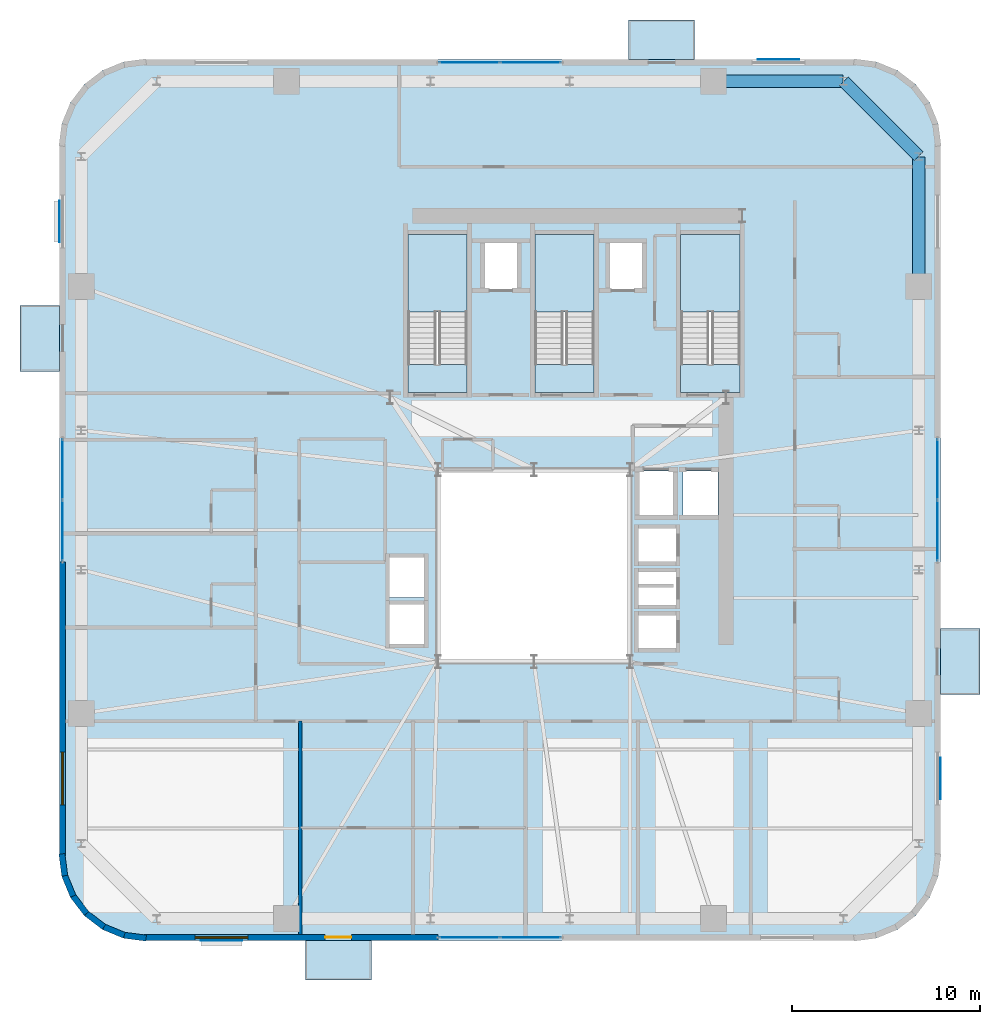
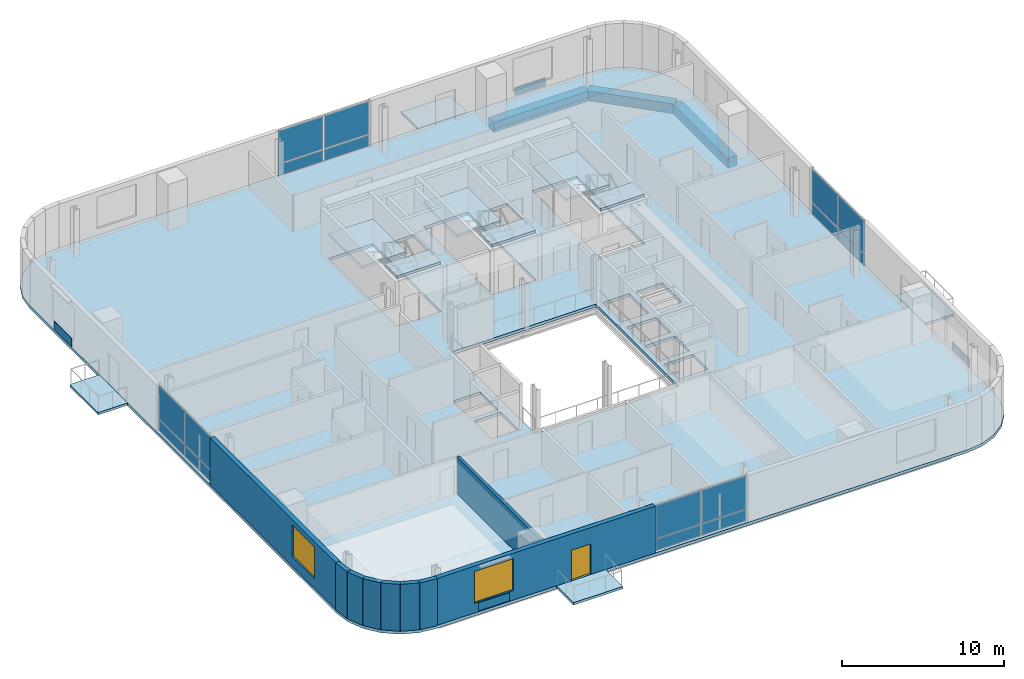
# One storey, part 7 of 16: 20 plates, 11 slabs, 9 walls, 3 beams, 2 windows, 1 door, 3 openings, 7 elements without a shape of their own.
"""IFC4 building model written with IfcOpenShell, lengths in metres."""

from ifc_helpers import new_model, si_unit, direction, frame, frame_2d, origin, origin_2d, place, context, subcontext, project, spatial, polyline, rectangle, outline, extrude, source, transform, mapped, material, layer, layer_set, material_profile, profile_set, type_object, element, fill, aggregate, save


model = new_model("IFC4")

# Units and contexts
model_context = context("Model", 3, precision=1e-05, world=origin(), true_north=direction((0.0, 1.0)))
body_context = subcontext(model_context, "Body", "Model", "MODEL_VIEW")
ifc_project = project(units=[si_unit("LENGTHUNIT", "METRE"), si_unit("AREAUNIT", "SQUARE_METRE"), si_unit("VOLUMEUNIT", "CUBIC_METRE"), si_unit("PLANEANGLEUNIT", "RADIAN"), si_unit("MASSUNIT", "GRAM", prefix="KILO")], contexts=[model_context])

# Site, building, storey
site_placement = place(None, origin())
site = spatial("IfcSite", under=ifc_project, at=site_placement, CompositionType="ELEMENT")
building_placement = place(site_placement, origin())
building = spatial("IfcBuilding", under=site, at=building_placement, Name="Vardaveli Station Tower", CompositionType="ELEMENT")
storey_placement = place(building_placement, frame((0.0, 0.0, 203.550048828125)))
storey = spatial("IfcBuildingStorey", under=building, at=storey_placement, Name="L52", CompositionType="ELEMENT", Elevation=203.550048828125)

# Beams
ifc_material_1 = material(Name="Precast concrete C45/55", Category="concrete")
ifc_material_profile = material_profile(ifc_material_1, rectangle(XDim=0.64990234375, YDim=0.75, at=origin_2d()), Name="LPB 650x750")
ifc_profile_set = profile_set([ifc_material_profile], Name="Precast concrete C45/55")
beam_type = type_object("IfcBeamType", Name="BM-LPB-750", PredefinedType="BEAM", material=ifc_profile_set)
shared_shape_1 = source(origin(), body_context, "Body", "SweptSolid", [
    extrude(rectangle(XDim=0.64990234375, YDim=0.75, at=origin_2d()), origin(), (0.0, 0.0, 1.0), 6.869873046875),
])
for number, where, z_axis, x_axis, name in (
    (1, (56.75, 36.56005859375, -0.594970703125), (0.0, 1.0, 0.0), (-1.0, 0.0, 0.0), "RBM-L52-10"),
    (2, (52.72998046875, 47.449951171875, -0.594970703125), (-1.0, 0.0, 0.0), (0.0, -1.0, 0.0), "RBM-L52-12"),
):
    element("IfcBeam", number, at=place(storey_placement, frame(where, z_axis=z_axis, x_axis=x_axis)), inside=storey, type_object=beam_type, Name=name, PredefinedType="BEAM", context=body_context, shape_type="MappedRepresentation", body=[
        mapped(shared_shape_1, transform((0.0, 0.0, 0.0), scale=1.0)),
    ])
shared_shape_2 = source(origin(), body_context, "Body", "SweptSolid", [
    extrude(rectangle(XDim=0.64990234375, YDim=0.75, at=origin_2d()), origin(), (0.0, 0.0, 1.0), 5.61669921875),
])
beam_placement = place(storey_placement, frame((56.73583984375, 43.464111328125, -0.594970703125), z_axis=(-0.707106781187, 0.707106781187, 0.0), x_axis=(-0.707106781187, -0.707106781187, 0.0)))
element("IfcBeam", 3, at=beam_placement, inside=storey, type_object=beam_type, Name="RBM-L52-11", PredefinedType="BEAM", context=body_context, shape_type="MappedRepresentation", body=[
    mapped(shared_shape_2, transform((0.0, 0.0, 0.0), scale=1.0)),
])

# Stair, slabs
ifc_material_2 = material(Name="Concrete C40/50", Category="concrete")
stair_type = type_object("IfcStairType", Name="STR-CORE-1500", PredefinedType="HALF_TURN_STAIR", material=ifc_material_2)
stair_1_placement = place(storey_placement, origin())
stair_1 = element("IfcStair", 4, at=stair_1_placement, inside=storey, type_object=stair_type, Name="L52 ST-1", PredefinedType="HALF_TURN_STAIR")
ifc_layer_1 = layer(ifc_material_2, 0.199951171875, Name="Concrete C40/50")
ifc_layer_set_1 = layer_set([ifc_layer_1], Name="Concrete C40/50")
slab_type_1 = type_object("IfcSlabType", Name="SLB-LAND-200", PredefinedType="LANDING", material=ifc_layer_set_1)
slab_1_placement = place(storey_placement, frame((0.0, 0.0, 1.675048828125)))
slab_1 = element("IfcSlab", 5, at=slab_1_placement, type_object=slab_type_1, Name="ST-1 landing 1", PredefinedType="LANDING", context=body_context, shape_type="SweptSolid", body=[
    extrude(outline(polyline([(32.75, 35.199951171875), (32.75, 39.300048828125), (29.60009765625, 39.300048828125), (29.60009765625, 35.199951171875), (32.75, 35.199951171875)])), origin(), (0.0, 0.0, 1.0), 0.199951171875),
])
slab_2_placement = place(storey_placement, frame((0.0, 0.0, 3.550048828125)))
slab_2 = element("IfcSlab", 6, at=slab_2_placement, type_object=slab_type_1, Name="ST-1 landing 2", PredefinedType="LANDING", context=body_context, shape_type="SweptSolid", body=[
    extrude(outline(polyline([(32.75, 30.89990234375), (32.75, 32.39990234375), (29.60009765625, 32.39990234375), (29.60009765625, 30.89990234375), (32.75, 30.89990234375)])), origin(), (0.0, 0.0, 1.0), 0.199951171875),
])
aggregate(stair_1, [slab_1, slab_2])

stair_2_placement = place(storey_placement, origin())
stair_2 = element("IfcStair", 7, at=stair_2_placement, inside=storey, type_object=stair_type, Name="L52 ST-2", PredefinedType="HALF_TURN_STAIR")
slab_3_placement = place(storey_placement, frame((0.0, 0.0, 1.675048828125)))
slab_3 = element("IfcSlab", 8, at=slab_3_placement, type_object=slab_type_1, Name="ST-2 landing 1", PredefinedType="LANDING", context=body_context, shape_type="SweptSolid", body=[
    extrude(outline(polyline([(39.5, 35.199951171875), (39.5, 39.300048828125), (36.35009765625, 39.300048828125), (36.35009765625, 35.199951171875), (39.5, 35.199951171875)])), origin(), (0.0, 0.0, 1.0), 0.199951171875),
])
slab_4_placement = place(storey_placement, frame((0.0, 0.0, 3.550048828125)))
slab_4 = element("IfcSlab", 9, at=slab_4_placement, type_object=slab_type_1, Name="ST-2 landing 2", PredefinedType="LANDING", context=body_context, shape_type="SweptSolid", body=[
    extrude(outline(polyline([(39.5, 30.89990234375), (39.5, 32.39990234375), (36.35009765625, 32.39990234375), (36.35009765625, 30.89990234375), (39.5, 30.89990234375)])), origin(), (0.0, 0.0, 1.0), 0.199951171875),
])
aggregate(stair_2, [slab_3, slab_4])

stair_3_placement = place(storey_placement, origin())
stair_3 = element("IfcStair", 10, at=stair_3_placement, inside=storey, type_object=stair_type, Name="L52 ST-3", PredefinedType="HALF_TURN_STAIR")
slab_5_placement = place(storey_placement, frame((0.0, 0.0, 1.675048828125)))
slab_5 = element("IfcSlab", 11, at=slab_5_placement, type_object=slab_type_1, Name="ST-3 landing 1", PredefinedType="LANDING", context=body_context, shape_type="SweptSolid", body=[
    extrude(outline(polyline([(47.25, 35.199951171875), (47.25, 39.300048828125), (44.10009765625, 39.300048828125), (44.10009765625, 35.199951171875), (47.25, 35.199951171875)])), origin(), (0.0, 0.0, 1.0), 0.199951171875),
])
slab_6_placement = place(storey_placement, frame((0.0, 0.0, 3.550048828125)))
slab_6 = element("IfcSlab", 12, at=slab_6_placement, type_object=slab_type_1, Name="ST-3 landing 2", PredefinedType="LANDING", context=body_context, shape_type="SweptSolid", body=[
    extrude(outline(polyline([(47.25, 30.89990234375), (47.25, 32.39990234375), (44.10009765625, 32.39990234375), (44.10009765625, 30.89990234375), (47.25, 30.89990234375)])), origin(), (0.0, 0.0, 1.0), 0.199951171875),
])
aggregate(stair_3, [slab_5, slab_6])

# Slabs
ifc_layer_2 = layer(ifc_material_1, 0.179931640625, Name="Precast concrete C45/55")
ifc_layer_set_2 = layer_set([ifc_layer_2], Name="Precast concrete C45/55")
slab_type_2 = type_object("IfcSlabType", Name="SLB-LOGGIA-180", PredefinedType="FLOOR", material=ifc_layer_set_2)
slab_7_placement = place(storey_placement, frame((0.0, 0.0, -0.179931640625)))
element("IfcSlab", 13, at=slab_7_placement, inside=storey, type_object=slab_type_2, Name="LOG-L52-S", PredefinedType="FLOOR", context=body_context, shape_type="SweptSolid", body=[
    extrude(outline(polyline([(24.160400390625, -0.300048828125), (27.660400390625, -0.300048828125), (27.660400390625, 1.800048828125), (24.160400390625, 1.800048828125), (24.160400390625, -0.300048828125)])), origin(), (0.0, 0.0, 1.0), 0.179931640625),
])
slab_8_placement = place(storey_placement, frame((0.0, 0.0, -0.179931640625)))
element("IfcSlab", 14, at=slab_8_placement, inside=storey, type_object=slab_type_2, Name="LOG-L52-N", PredefinedType="FLOOR", context=body_context, shape_type="SweptSolid", body=[
    extrude(outline(polyline([(41.339599609375, 48.60009765625), (44.839599609375, 48.60009765625), (44.839599609375, 50.699951171875), (41.339599609375, 50.699951171875), (41.339599609375, 48.60009765625)])), origin(), (0.0, 0.0, 1.0), 0.179931640625),
])
slab_9_placement = place(storey_placement, frame((0.0, 0.0, -0.179931640625)))
element("IfcSlab", 15, at=slab_9_placement, inside=storey, type_object=slab_type_2, Name="LOG-L52-W", PredefinedType="FLOOR", context=body_context, shape_type="SweptSolid", body=[
    extrude(outline(polyline([(9.0, 32.03955078125), (11.10009765625, 32.03955078125), (11.10009765625, 35.53955078125), (9.0, 35.53955078125), (9.0, 32.03955078125)])), origin(), (0.0, 0.0, 1.0), 0.179931640625),
])
slab_10_placement = place(storey_placement, frame((0.0, 0.0, -0.179931640625)))
element("IfcSlab", 16, at=slab_10_placement, inside=storey, type_object=slab_type_2, Name="LOG-L52-E", PredefinedType="FLOOR", context=body_context, shape_type="SweptSolid", body=[
    extrude(outline(polyline([(57.89990234375, 14.8603515625), (60.0, 14.8603515625), (60.0, 18.3603515625), (57.89990234375, 18.3603515625), (57.89990234375, 14.8603515625)])), origin(), (0.0, 0.0, 1.0), 0.179931640625),
])
ifc_layer_3 = layer(ifc_material_2, 0.219970703125, Name="Concrete C40/50")
ifc_layer_set_3 = layer_set([ifc_layer_3], Name="Concrete C40/50")
slab_type_3 = type_object("IfcSlabType", Name="SLB-TOW-220", PredefinedType="FLOOR", material=ifc_layer_set_3)
slab_11_placement = place(storey_placement, frame((0.0, 0.0, -0.219970703125)))
element("IfcSlab", 17, at=slab_11_placement, inside=storey, type_object=slab_type_3, Name="SLB-L52-MAIN", PredefinedType="FLOOR", context=body_context, shape_type="SweptSolid", body=[
    extrude(outline(polyline([(11.10009765625, 6.300048828125), (11.25341796875, 5.13525390625), (11.702880859375, 4.050048828125), (12.41796875, 3.117919921875), (13.35009765625, 2.40283203125), (14.435302734375, 1.953369140625), (15.60009765625, 1.800048828125), (53.39990234375, 1.800048828125), (54.564697265625, 1.953369140625), (55.64990234375, 2.40283203125), (56.58203125, 3.117919921875), (57.297119140625, 4.050048828125), (57.74658203125, 5.13525390625), (57.89990234375, 6.300048828125), (57.89990234375, 44.10009765625), (57.74658203125, 45.2646484375), (57.297119140625, 46.35009765625), (56.58203125, 47.281982421875), (55.64990234375, 47.9970703125), (54.564697265625, 48.44677734375), (53.39990234375, 48.60009765625), (15.60009765625, 48.60009765625), (14.435302734375, 48.44677734375), (13.35009765625, 47.9970703125), (12.41796875, 47.281982421875), (11.702880859375, 46.35009765625), (11.25341796875, 45.2646484375), (11.10009765625, 44.10009765625), (11.10009765625, 6.300048828125)]), holes=[polyline([(31.199951171875, 16.60009765625), (41.39990234375, 16.60009765625), (41.39990234375, 26.800048828125), (31.199951171875, 26.800048828125), (31.199951171875, 16.60009765625)]), polyline([(32.75, 30.89990234375), (32.75, 39.300048828125), (29.60009765625, 39.300048828125), (29.60009765625, 30.89990234375), (32.75, 30.89990234375)]), polyline([(39.5, 30.89990234375), (39.5, 39.300048828125), (36.35009765625, 39.300048828125), (36.35009765625, 30.89990234375), (39.5, 30.89990234375)]), polyline([(47.25, 30.89990234375), (47.25, 39.300048828125), (44.10009765625, 39.300048828125), (44.10009765625, 30.89990234375), (47.25, 30.89990234375)]), polyline([(33.659912109375, 36.409912109375), (35.43994140625, 36.409912109375), (35.43994140625, 38.889892578125), (33.659912109375, 38.889892578125), (33.659912109375, 36.409912109375)]), polyline([(40.31005859375, 36.409912109375), (42.090087890625, 36.409912109375), (42.090087890625, 38.889892578125), (40.31005859375, 38.889892578125), (40.31005859375, 36.409912109375)]), polyline([(41.81005859375, 21.885009765625), (43.889892578125, 21.885009765625), (43.889892578125, 23.715087890625), (41.81005859375, 23.715087890625), (41.81005859375, 21.885009765625)]), polyline([(41.81005859375, 19.5849609375), (43.889892578125, 19.5849609375), (43.889892578125, 21.4150390625), (41.81005859375, 21.4150390625), (41.81005859375, 19.5849609375)]), polyline([(41.81005859375, 17.284912109375), (43.889892578125, 17.284912109375), (43.889892578125, 19.114990234375), (41.81005859375, 19.114990234375), (41.81005859375, 17.284912109375)]), polyline([(28.5849609375, 17.510009765625), (30.514892578125, 17.510009765625), (30.514892578125, 19.68994140625), (28.5849609375, 19.68994140625), (28.5849609375, 17.510009765625)]), polyline([(28.5849609375, 20.010009765625), (30.514892578125, 20.010009765625), (30.514892578125, 22.18994140625), (28.5849609375, 22.18994140625), (28.5849609375, 20.010009765625)]), polyline([(41.860107421875, 24.360107421875), (43.739990234375, 24.360107421875), (43.739990234375, 26.739990234375), (41.860107421875, 26.739990234375), (41.860107421875, 24.360107421875)]), polyline([(44.2099609375, 24.360107421875), (46.090087890625, 24.360107421875), (46.090087890625, 26.739990234375), (44.2099609375, 26.739990234375), (44.2099609375, 24.360107421875)])]), origin(), (0.0, 0.0, 1.0), 0.219970703125),
])

# Plates
ifc_material_3 = material(Name="Honed Caucasian travertine stone", Category="masonry")
ifc_layer_4 = layer(ifc_material_3, 0.034912109375, Name="Honed Caucasian travertine stone")
ifc_layer_set_4 = layer_set([ifc_layer_4], Name="Honed Caucasian travertine stone")
plate_type_1 = type_object("IfcPlateType", Name="PLT-TRAV-35", PredefinedType="SHEET", material=ifc_layer_set_4)
shared_shape_3 = source(origin(), body_context, "Body", "SweptSolid", [
    extrude(rectangle(XDim=2.199951171875, YDim=0.034912109375, at=origin_2d()), origin(), (0.0, 0.0, 1.0), 0.6201171875),
])
for number, where, z_axis, x_axis, name in (
    (18, (19.705078125, 1.79052734375, 0.06982421875), (0.0, 0.0, 1.0), (1.0, 0.0, 0.0), "PLT-TR-L52-S"),
    (19, (49.294921875, 48.609619140625, 0.06982421875), (0.0, 0.0, 1.0), (1.0, 0.0, 0.0), "PLT-TR-L52-N"),
    (20, (11.090576171875, 39.9951171875, 0.06982421875), (0.0, 0.0, 1.0), (0.0, 1.0, 0.0), "PLT-TR-L52-W"),
    (21, (57.909423828125, 10.405029296875, 0.06982421875), (0.0, 0.0, 1.0), (0.0, 1.0, 0.0), "PLT-TR-L52-E"),
):
    element("IfcPlate", number, at=place(storey_placement, frame(where, z_axis=z_axis, x_axis=x_axis)), inside=storey, type_object=plate_type_1, Name=name, PredefinedType="SHEET", context=body_context, shape_type="MappedRepresentation", body=[
        mapped(shared_shape_3, transform((0.0, 0.0, 0.0), scale=1.0)),
    ])

# Curtain wall, plates
ifc_material_4 = material(Name="Travertine stone and solar-control glass", Category="masonry")
curtain_wall_type = type_object("IfcCurtainWallType", Name="CW-SYS-5", PredefinedType="NOTDEFINED", material=ifc_material_4)
curtain_wall_1_placement = place(storey_placement, origin())
curtain_wall_1 = element("IfcCurtainWall", 22, at=curtain_wall_1_placement, inside=storey, type_object=curtain_wall_type, Name="CW-L52-S", PredefinedType="NOTDEFINED")
ifc_material_5 = material(Name="Double-glazed low-E solar-control glass", Category="glass")
ifc_layer_5 = layer(ifc_material_5, 0.031982421875, Name="Double-glazed low-E solar-control glass")
ifc_layer_set_5 = layer_set([ifc_layer_5], Name="Double-glazed low-E solar-control glass")
plate_type_2 = type_object("IfcPlateType", Name="CW-SYS-5-PAN", PredefinedType="CURTAIN_PANEL", material=ifc_layer_set_5)
shared_shape_4 = source(origin(), body_context, "Body", "SweptSolid", [
    extrude(rectangle(XDim=3.179931640625, YDim=0.031982421875, at=origin_2d()), origin(), (0.0, 0.0, 1.0), 0.830078125),
])
plate_1_placement = place(storey_placement, frame((32.8701171875, 1.9599609375, 0.079833984375), z_axis=(0.0, 0.0, 1.0), x_axis=(1.0, 0.0, 0.0)))
plate_1 = element("IfcPlate", 23, at=plate_1_placement, type_object=plate_type_2, Name="CW-5 panel 1.1", PredefinedType="CURTAIN_PANEL", context=body_context, shape_type="MappedRepresentation", body=[
    mapped(shared_shape_4, transform((0.0, 0.0, 0.0), scale=1.0)),
])
plate_2_placement = place(storey_placement, frame((36.1298828125, 1.9599609375, 0.079833984375), z_axis=(0.0, 0.0, 1.0), x_axis=(1.0, 0.0, 0.0)))
plate_2 = element("IfcPlate", 24, at=plate_2_placement, type_object=plate_type_2, Name="CW-5 panel 2.1", PredefinedType="CURTAIN_PANEL", context=body_context, shape_type="MappedRepresentation", body=[
    mapped(shared_shape_4, transform((0.0, 0.0, 0.0), scale=1.0)),
])

curtain_wall_2_placement = place(storey_placement, origin())
curtain_wall_2 = element("IfcCurtainWall", 25, at=curtain_wall_2_placement, inside=storey, type_object=curtain_wall_type, Name="CW-L52-N", PredefinedType="NOTDEFINED")
plate_3_placement = place(storey_placement, frame((36.1298828125, 48.43994140625, 0.079833984375), z_axis=(0.0, 0.0, 1.0), x_axis=(-1.0, 0.0, 0.0)))
plate_3 = element("IfcPlate", 26, at=plate_3_placement, type_object=plate_type_2, Name="CW-5 panel 1.1", PredefinedType="CURTAIN_PANEL", context=body_context, shape_type="MappedRepresentation", body=[
    mapped(shared_shape_4, transform((0.0, 0.0, 0.0), scale=1.0)),
])
plate_4_placement = place(storey_placement, frame((32.8701171875, 48.43994140625, 0.079833984375), z_axis=(0.0, 0.0, 1.0), x_axis=(-1.0, 0.0, 0.0)))
plate_4 = element("IfcPlate", 27, at=plate_4_placement, type_object=plate_type_2, Name="CW-5 panel 2.1", PredefinedType="CURTAIN_PANEL", context=body_context, shape_type="MappedRepresentation", body=[
    mapped(shared_shape_4, transform((0.0, 0.0, 0.0), scale=1.0)),
])

curtain_wall_3_placement = place(storey_placement, origin())
curtain_wall_3 = element("IfcCurtainWall", 28, at=curtain_wall_3_placement, inside=storey, type_object=curtain_wall_type, Name="CW-L52-W", PredefinedType="NOTDEFINED")
plate_5_placement = place(storey_placement, frame((11.260009765625, 26.830078125, 0.079833984375), z_axis=(0.0, 0.0, 1.0), x_axis=(0.0, -1.0, 0.0)))
plate_5 = element("IfcPlate", 29, at=plate_5_placement, type_object=plate_type_2, Name="CW-5 panel 1.1", PredefinedType="CURTAIN_PANEL", context=body_context, shape_type="MappedRepresentation", body=[
    mapped(shared_shape_4, transform((0.0, 0.0, 0.0), scale=1.0)),
])
plate_6_placement = place(storey_placement, frame((11.260009765625, 23.570068359375, 0.079833984375), z_axis=(0.0, 0.0, 1.0), x_axis=(0.0, -1.0, 0.0)))
plate_6 = element("IfcPlate", 30, at=plate_6_placement, type_object=plate_type_2, Name="CW-5 panel 2.1", PredefinedType="CURTAIN_PANEL", context=body_context, shape_type="MappedRepresentation", body=[
    mapped(shared_shape_4, transform((0.0, 0.0, 0.0), scale=1.0)),
])

curtain_wall_4_placement = place(storey_placement, origin())
curtain_wall_4 = element("IfcCurtainWall", 31, at=curtain_wall_4_placement, inside=storey, type_object=curtain_wall_type, Name="CW-L52-E", PredefinedType="NOTDEFINED")
plate_7_placement = place(storey_placement, frame((57.739990234375, 23.570068359375, 0.079833984375), z_axis=(0.0, 0.0, 1.0), x_axis=(0.0, 1.0, 0.0)))
plate_7 = element("IfcPlate", 32, at=plate_7_placement, type_object=plate_type_2, Name="CW-5 panel 1.1", PredefinedType="CURTAIN_PANEL", context=body_context, shape_type="MappedRepresentation", body=[
    mapped(shared_shape_4, transform((0.0, 0.0, 0.0), scale=1.0)),
])
plate_8_placement = place(storey_placement, frame((57.739990234375, 26.830078125, 0.079833984375), z_axis=(0.0, 0.0, 1.0), x_axis=(0.0, 1.0, 0.0)))
plate_8 = element("IfcPlate", 33, at=plate_8_placement, type_object=plate_type_2, Name="CW-5 panel 2.1", PredefinedType="CURTAIN_PANEL", context=body_context, shape_type="MappedRepresentation", body=[
    mapped(shared_shape_4, transform((0.0, 0.0, 0.0), scale=1.0)),
])

# Plate
shared_shape_5 = source(origin(), body_context, "Body", "SweptSolid", [
    extrude(rectangle(XDim=3.179931640625, YDim=0.031982421875, at=origin_2d()), origin(), (0.0, 0.0, 1.0), 2.4599609375),
])
plate_9_placement = place(storey_placement, frame((32.8701171875, 1.9599609375, 0.989990234375), z_axis=(0.0, 0.0, 1.0), x_axis=(1.0, 0.0, 0.0)))
plate_9 = element("IfcPlate", 34, at=plate_9_placement, type_object=plate_type_2, Name="CW-5 panel 1.2", PredefinedType="CURTAIN_PANEL", context=body_context, shape_type="MappedRepresentation", body=[
    mapped(shared_shape_5, transform((0.0, 0.0, 0.0), scale=1.0)),
])

plate_10_placement = place(storey_placement, frame((36.1298828125, 1.9599609375, 0.989990234375), z_axis=(0.0, 0.0, 1.0), x_axis=(1.0, 0.0, 0.0)))
plate_10 = element("IfcPlate", 35, at=plate_10_placement, type_object=plate_type_2, Name="CW-5 panel 2.2", PredefinedType="CURTAIN_PANEL", context=body_context, shape_type="MappedRepresentation", body=[
    mapped(shared_shape_5, transform((0.0, 0.0, 0.0), scale=1.0)),
])

aggregate(curtain_wall_1, [plate_1, plate_9, plate_2, plate_10])

plate_11_placement = place(storey_placement, frame((36.1298828125, 48.43994140625, 0.989990234375), z_axis=(0.0, 0.0, 1.0), x_axis=(-1.0, 0.0, 0.0)))
plate_11 = element("IfcPlate", 36, at=plate_11_placement, type_object=plate_type_2, Name="CW-5 panel 1.2", PredefinedType="CURTAIN_PANEL", context=body_context, shape_type="MappedRepresentation", body=[
    mapped(shared_shape_5, transform((0.0, 0.0, 0.0), scale=1.0)),
])

plate_12_placement = place(storey_placement, frame((32.8701171875, 48.43994140625, 0.989990234375), z_axis=(0.0, 0.0, 1.0), x_axis=(-1.0, 0.0, 0.0)))
plate_12 = element("IfcPlate", 37, at=plate_12_placement, type_object=plate_type_2, Name="CW-5 panel 2.2", PredefinedType="CURTAIN_PANEL", context=body_context, shape_type="MappedRepresentation", body=[
    mapped(shared_shape_5, transform((0.0, 0.0, 0.0), scale=1.0)),
])

aggregate(curtain_wall_2, [plate_3, plate_11, plate_4, plate_12])

plate_13_placement = place(storey_placement, frame((11.260009765625, 26.830078125, 0.989990234375), z_axis=(0.0, 0.0, 1.0), x_axis=(0.0, -1.0, 0.0)))
plate_13 = element("IfcPlate", 38, at=plate_13_placement, type_object=plate_type_2, Name="CW-5 panel 1.2", PredefinedType="CURTAIN_PANEL", context=body_context, shape_type="MappedRepresentation", body=[
    mapped(shared_shape_5, transform((0.0, 0.0, 0.0), scale=1.0)),
])

plate_14_placement = place(storey_placement, frame((11.260009765625, 23.570068359375, 0.989990234375), z_axis=(0.0, 0.0, 1.0), x_axis=(0.0, -1.0, 0.0)))
plate_14 = element("IfcPlate", 39, at=plate_14_placement, type_object=plate_type_2, Name="CW-5 panel 2.2", PredefinedType="CURTAIN_PANEL", context=body_context, shape_type="MappedRepresentation", body=[
    mapped(shared_shape_5, transform((0.0, 0.0, 0.0), scale=1.0)),
])

aggregate(curtain_wall_3, [plate_5, plate_13, plate_6, plate_14])

plate_15_placement = place(storey_placement, frame((57.739990234375, 23.570068359375, 0.989990234375), z_axis=(0.0, 0.0, 1.0), x_axis=(0.0, 1.0, 0.0)))
plate_15 = element("IfcPlate", 40, at=plate_15_placement, type_object=plate_type_2, Name="CW-5 panel 1.2", PredefinedType="CURTAIN_PANEL", context=body_context, shape_type="MappedRepresentation", body=[
    mapped(shared_shape_5, transform((0.0, 0.0, 0.0), scale=1.0)),
])

plate_16_placement = place(storey_placement, frame((57.739990234375, 26.830078125, 0.989990234375), z_axis=(0.0, 0.0, 1.0), x_axis=(0.0, 1.0, 0.0)))
plate_16 = element("IfcPlate", 41, at=plate_16_placement, type_object=plate_type_2, Name="CW-5 panel 2.2", PredefinedType="CURTAIN_PANEL", context=body_context, shape_type="MappedRepresentation", body=[
    mapped(shared_shape_5, transform((0.0, 0.0, 0.0), scale=1.0)),
])

aggregate(curtain_wall_4, [plate_7, plate_15, plate_8, plate_16])

# Wall, openings, door, window
ifc_layer_6 = layer(ifc_material_1, 0.320068359375, Name="Precast concrete C45/55")
ifc_layer_set_6 = layer_set([ifc_layer_6], Name="Precast concrete C45/55")
wall_type_1 = type_object("IfcWallType", Name="WAL-EXT-STONE-320", PredefinedType="SOLIDWALL", material=ifc_layer_set_6)
shared_shape_6 = source(origin(), body_context, "Body", "SweptSolid", [
    extrude(rectangle(XDim=15.599853515625, YDim=0.320068359375, at=frame_2d((7.7998046875, 0.0))), origin(), (0.0, 0.0, 1.0), 3.530029296875),
])
wall_1_placement = place(storey_placement, frame((15.60009765625, 1.9599609375, 0.0), z_axis=(0.0, 0.0, 1.0), x_axis=(1.0, 0.0, 0.0)))
wall_1 = element("IfcWall", 42, at=wall_1_placement, inside=storey, type_object=wall_type_1, Name="EW-L52-S1", PredefinedType="SOLIDWALL", context=body_context, shape_type="MappedRepresentation", body=[
    mapped(shared_shape_6, transform((0.0, 0.0, 0.0), scale=1.0)),
])
shared_shape_7 = source(origin(), body_context, "Body", "SweptSolid", [
    extrude(rectangle(XDim=1.39990234375, YDim=2.300048828125, at=frame_2d((0.699951171875, 1.14990234375))), frame((0.0, 0.169921875, 0.0), z_axis=(0.0, -1.0, 0.0), x_axis=(1.0, 0.0, 0.0)), (0.0, 0.0, 1.0), 0.340087890625),
])
opening_1_placement = place(wall_1_placement, frame((9.6103515625, 0.0, 0.0)))
opening_1 = element("IfcOpeningElement", 43, at=opening_1_placement, cuts=wall_1, Name="Opening D-09", PredefinedType="OPENING", context=body_context, shape_type="MappedRepresentation", body=[
    mapped(shared_shape_7, transform((0.0, 0.0, 0.0), scale=1.0)),
])
shared_shape_8 = source(origin(), body_context, "Body", "SweptSolid", [
    extrude(rectangle(XDim=2.800048828125, YDim=2.39990234375, at=frame_2d((1.39990234375, 1.199951171875))), frame((0.0, 0.169921875, 0.0), z_axis=(0.0, -1.0, 0.0), x_axis=(1.0, 0.0, 0.0)), (0.0, 0.0, 1.0), 0.340087890625),
])
opening_2_placement = place(wall_1_placement, frame((2.705078125, 0.0, 0.719970703125)))
opening_2 = element("IfcOpeningElement", 44, at=opening_2_placement, cuts=wall_1, Name="Opening W-04", PredefinedType="OPENING", context=body_context, shape_type="MappedRepresentation", body=[
    mapped(shared_shape_8, transform((0.0, 0.0, 0.0), scale=1.0)),
])
ifc_material_6 = material(Name="Thermally broken aluminium glass", Category="aluminium")
door_type = type_object("IfcDoorType", Name="DR-LOG-1400x2300", OperationType="DOUBLE_DOOR_SLIDING", PredefinedType="DOOR", material=ifc_material_6)
shared_shape_9 = source(origin(), body_context, "Body", "SweptSolid", [
    extrude(rectangle(XDim=1.39990234375, YDim=2.300048828125, at=frame_2d((0.699951171875, 1.14990234375))), frame((0.0, 0.02490234375, 0.0), z_axis=(0.0, -1.0, 0.0), x_axis=(1.0, 0.0, 0.0)), (0.0, 0.0, 1.0), 0.050048828125),
])
door_placement = place(opening_1_placement, frame((1.39990234375, 0.0, 0.0), z_axis=(0.0, 0.0, 1.0), x_axis=(-1.0, 0.0, 0.0)))
door = element("IfcDoor", 45, at=door_placement, inside=storey, type_object=door_type, Name="DLG-L52-S", OperationType="DOUBLE_DOOR_SLIDING", OverallHeight=2.300048828125, OverallWidth=1.39990234375, PredefinedType="DOOR", context=body_context, shape_type="MappedRepresentation", body=[
    mapped(shared_shape_9, transform((0.0, 0.0, 0.0), scale=1.0)),
])
fill(opening_1, door)
ifc_material_7 = material(Name="Low-E solar-control glass", Category="glass")
window_type = type_object("IfcWindowType", Name="WIN-SUITE-2800x2400", PartitioningType="SINGLE_PANEL", PredefinedType="WINDOW", material=ifc_material_7)
shared_shape_10 = source(origin(), body_context, "Body", "SweptSolid", [
    extrude(rectangle(XDim=2.800048828125, YDim=2.39990234375, at=frame_2d((1.39990234375, 1.199951171875))), frame((0.0, 0.030029296875, 0.0), z_axis=(0.0, -1.0, 0.0), x_axis=(1.0, 0.0, 0.0)), (0.0, 0.0, 1.0), 0.06005859375),
])
window_1_placement = place(opening_2_placement, origin())
window_1 = element("IfcWindow", 46, at=window_1_placement, inside=storey, type_object=window_type, Name="WN-L52-S1", OverallHeight=2.39990234375, OverallWidth=2.800048828125, PartitioningType="SINGLE_PANEL", PredefinedType="WINDOW", context=body_context, shape_type="MappedRepresentation", body=[
    mapped(shared_shape_10, transform((0.0, 0.0, 0.0), scale=1.0)),
])
fill(opening_2, window_1)

# Wall, opening, window
wall_2_placement = place(storey_placement, frame((11.260009765625, 21.89990234375, 0.0), z_axis=(0.0, 0.0, 1.0), x_axis=(0.0, -1.0, 0.0)))
wall_2 = element("IfcWall", 47, at=wall_2_placement, inside=storey, type_object=wall_type_1, Name="EW-L52-W2", PredefinedType="SOLIDWALL", context=body_context, shape_type="MappedRepresentation", body=[
    mapped(shared_shape_6, transform((0.0, 0.0, 0.0), scale=1.0)),
])
opening_3_placement = place(wall_2_placement, frame((10.094970703125, 0.0, 0.719970703125)))
opening_3 = element("IfcOpeningElement", 48, at=opening_3_placement, cuts=wall_2, Name="Opening W-04", PredefinedType="OPENING", context=body_context, shape_type="MappedRepresentation", body=[
    mapped(shared_shape_8, transform((0.0, 0.0, 0.0), scale=1.0)),
])
window_2_placement = place(opening_3_placement, origin())
window_2 = element("IfcWindow", 49, at=window_2_placement, inside=storey, type_object=window_type, Name="WN-L52-W2", OverallHeight=2.39990234375, OverallWidth=2.800048828125, PartitioningType="SINGLE_PANEL", PredefinedType="WINDOW", context=body_context, shape_type="MappedRepresentation", body=[
    mapped(shared_shape_10, transform((0.0, 0.0, 0.0), scale=1.0)),
])
fill(opening_3, window_2)

# Walls
shared_shape_11 = source(origin(), body_context, "Body", "SweptSolid", [
    extrude(rectangle(XDim=1.170654296875, YDim=0.320068359375, at=frame_2d((0.58544921875, 0.0))), origin(), (0.0, 0.0, 1.0), 3.530029296875),
])
wall_3_placement = place(storey_placement, frame((11.224365234375, 6.400634765625, 0.0), z_axis=(0.0, 0.0, 1.0), x_axis=(0.128269133229, -0.991739395941, 0.0)))
element("IfcWall", 50, at=wall_3_placement, inside=storey, type_object=wall_type_1, Name="EW-L52-CR1-1", PredefinedType="SOLIDWALL", context=body_context, shape_type="MappedRepresentation", body=[
    mapped(shared_shape_11, transform((0.0, 0.0, 0.0), scale=1.0)),
])
shared_shape_12 = source(origin(), body_context, "Body", "SweptSolid", [
    extrude(rectangle(XDim=1.1689453125, YDim=0.320068359375, at=frame_2d((0.58447265625, 0.0))), origin(), (0.0, 0.0, 1.0), 3.530029296875),
])
for number, where, z_axis, x_axis, name in (
    (51, (11.37451171875, 5.23974609375, 0.0), (0.0, 0.0, 1.0), (0.381127904695, -0.924522320046, 0.0), "EW-L52-CR1-2"),
    (52, (11.820068359375, 4.158935546875, 0.0), (0.0, 0.0, 1.0), (0.608387696831, -0.793639975269, 0.0), "EW-L52-CR1-3"),
):
    element("IfcWall", number, at=place(storey_placement, frame(where, z_axis=z_axis, x_axis=x_axis)), inside=storey, type_object=wall_type_1, Name=name, PredefinedType="SOLIDWALL", context=body_context, shape_type="MappedRepresentation", body=[
        mapped(shared_shape_12, transform((0.0, 0.0, 0.0), scale=1.0)),
    ])
shared_shape_13 = source(origin(), body_context, "Body", "SweptSolid", [
    extrude(rectangle(XDim=1.168701171875, YDim=0.320068359375, at=frame_2d((0.58447265625, 0.0))), origin(), (0.0, 0.0, 1.0), 3.530029296875),
])
wall_4_placement = place(storey_placement, frame((12.53125, 3.231201171875, 0.0), z_axis=(0.0, 0.0, 1.0), x_axis=(0.793663520347, -0.608356981114, 0.0)))
element("IfcWall", 53, at=wall_4_placement, inside=storey, type_object=wall_type_1, Name="EW-L52-CR1-4", PredefinedType="SOLIDWALL", context=body_context, shape_type="MappedRepresentation", body=[
    mapped(shared_shape_13, transform((0.0, 0.0, 0.0), scale=1.0)),
])
shared_shape_14 = source(origin(), body_context, "Body", "SweptSolid", [
    extrude(rectangle(XDim=1.16943359375, YDim=0.320068359375, at=frame_2d((0.584716796875, 0.0))), origin(), (0.0, 0.0, 1.0), 3.530029296875),
])
wall_5_placement = place(storey_placement, frame((13.458740234375, 2.520263671875, 0.0), z_axis=(0.0, 0.0, 1.0), x_axis=(0.924479075121, -0.381232789334, 0.0)))
element("IfcWall", 54, at=wall_5_placement, inside=storey, type_object=wall_type_1, Name="EW-L52-CR1-5", PredefinedType="SOLIDWALL", context=body_context, shape_type="MappedRepresentation", body=[
    mapped(shared_shape_14, transform((0.0, 0.0, 0.0), scale=1.0)),
])
shared_shape_15 = source(origin(), body_context, "Body", "SweptSolid", [
    extrude(rectangle(XDim=1.170166015625, YDim=0.320068359375, at=frame_2d((0.5849609375, 0.0))), origin(), (0.0, 0.0, 1.0), 3.530029296875),
])
wall_6_placement = place(storey_placement, frame((14.539794921875, 2.074462890625, 0.0), z_axis=(0.0, 0.0, 1.0), x_axis=(0.991762485493, -0.128090485085, 0.0)))
element("IfcWall", 55, at=wall_6_placement, inside=storey, type_object=wall_type_1, Name="EW-L52-CR1-6", PredefinedType="SOLIDWALL", context=body_context, shape_type="MappedRepresentation", body=[
    mapped(shared_shape_15, transform((0.0, 0.0, 0.0), scale=1.0)),
])
ifc_material_8 = material(Name="Acoustic twin-stud gypsum partition")
ifc_layer_7 = layer(ifc_material_8, 0.199951171875, Name="Acoustic twin-stud gypsum partition")
ifc_layer_set_7 = layer_set([ifc_layer_7], Name="Acoustic twin-stud gypsum partition")
wall_type_2 = type_object("IfcWallType", Name="WAL-PARTY-200", PredefinedType="PARTITIONING", material=ifc_layer_set_7)
shared_shape_16 = source(origin(), body_context, "Body", "SweptSolid", [
    extrude(rectangle(XDim=11.327880859375, YDim=0.199951171875, at=frame_2d((5.6640625, 0.0))), origin(), (0.0, 0.0, 1.0), 2.77197265625),
])
wall_7_placement = place(storey_placement, frame((23.889892578125, 2.1220703125, 0.0), z_axis=(0.0, 0.0, 1.0), x_axis=(0.0, 1.0, 0.0)))
element("IfcWall", 56, at=wall_7_placement, inside=storey, type_object=wall_type_2, Name="W-L52-PS1", PredefinedType="PARTITIONING", context=body_context, shape_type="MappedRepresentation", body=[
    mapped(shared_shape_16, transform((0.0, 0.0, 0.0), scale=1.0)),
])

save(model, "model.ifc")
